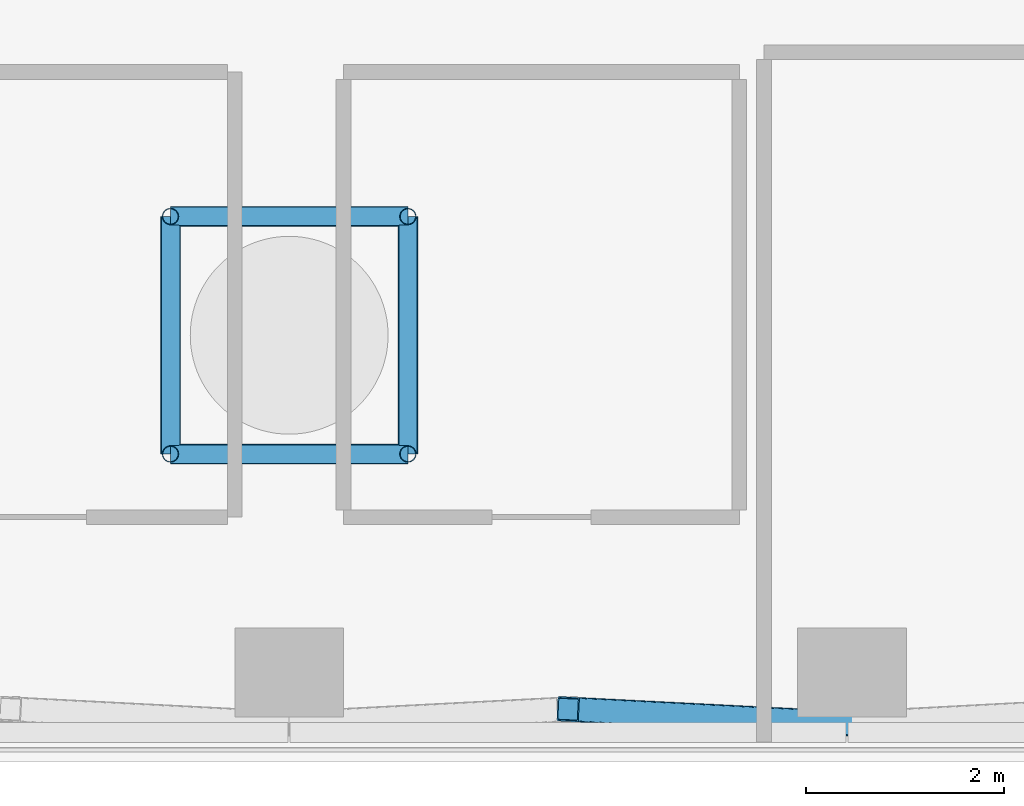
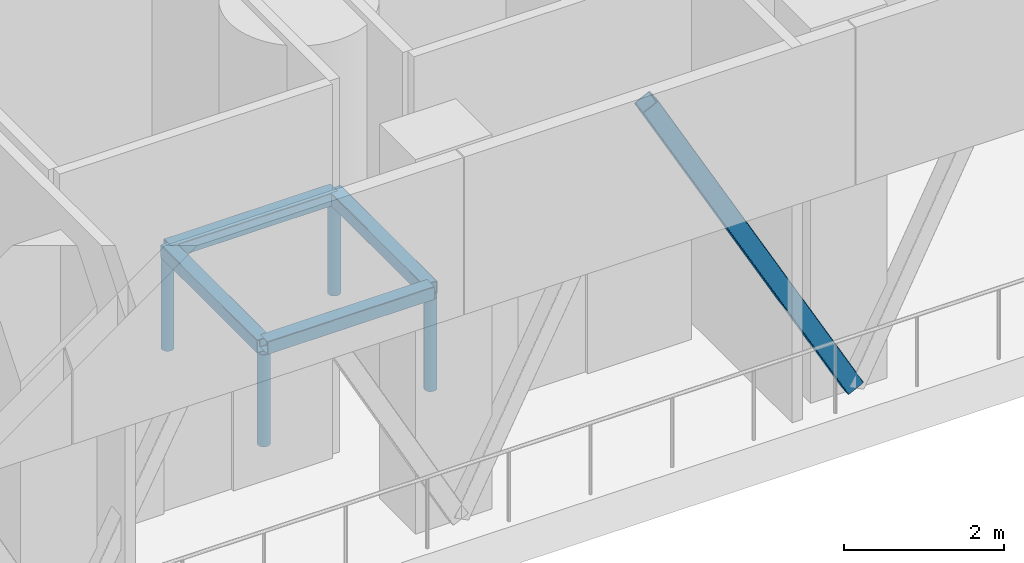
# One storey, part 2 of 15: 9 members.
"""IFC4 building model written with IfcOpenShell, lengths in metres."""

from ifc_helpers import new_model, si_unit, direction, frame, origin, origin_2d, place, context, subcontext, project, spatial, hollow_rectangle, hollow_circle, extrude, material, material_profile, profile_set, type_object, element, save


model = new_model("IFC4")

# Units and contexts
model_context = context("Model", 3, precision=1e-05, world=origin(), true_north=direction((0.0, 1.0)))
body_context = subcontext(model_context, "Body", "Model", "MODEL_VIEW")
ifc_project = project(units=[si_unit("LENGTHUNIT", "METRE"), si_unit("AREAUNIT", "SQUARE_METRE"), si_unit("VOLUMEUNIT", "CUBIC_METRE"), si_unit("PLANEANGLEUNIT", "RADIAN"), si_unit("MASSUNIT", "GRAM", prefix="KILO")], contexts=[model_context])

# Site, building, storey
site_placement = place(None, origin())
site = spatial("IfcSite", under=ifc_project, at=site_placement, CompositionType="ELEMENT")
building_placement = place(site_placement, origin())
building = spatial("IfcBuilding", under=site, at=building_placement, Name="Triada Interchange Tower", CompositionType="ELEMENT")
storey_placement = place(building_placement, frame((0.0, 0.0, 255.800048828125)))
storey = spatial("IfcBuildingStorey", under=building, at=storey_placement, Name="L60", CompositionType="ELEMENT", Elevation=255.800048828125)

# Members
ifc_material = material(Name="Steel S355", Category="steel")
ifc_material_profile_1 = material_profile(ifc_material, hollow_rectangle(XDim=0.25, YDim=0.25, WallThickness=0.012451171875, InnerFilletRadius=0.012451171875, OuterFilletRadius=0.018798828125, at=origin_2d()), Name="RHS 250x250x12.5")
ifc_profile_set_1 = profile_set([ifc_material_profile_1], Name="Steel S355")
member_type_1 = type_object("IfcMemberType", Name="Belt truss diagonal RHS 250x250x12.5", PredefinedType="BRACE", material=ifc_profile_set_1)
member_placement = place(storey_placement, frame((5.68994140625, -16.737060546875, 0.14990234375), z_axis=(-0.483178044267, 0.024571857341, 0.875177239972), x_axis=(-0.050789031701, -0.998709404311, 0.0)))
element("IfcMember", 1, at=member_placement, inside=storey, type_object=member_type_1, Name="Belt truss diagonal 030 L60", PredefinedType="BRACE", context=body_context, shape_type="SweptSolid", body=[
    extrude(hollow_rectangle(XDim=0.25, YDim=0.25, WallThickness=0.012451171875, InnerFilletRadius=0.012451171875, OuterFilletRadius=0.018798828125, at=origin_2d()), origin(), (0.0, 0.0, 1.0), 5.941650390625),
])
ifc_material_profile_2 = material_profile(ifc_material, hollow_rectangle(XDim=0.199951171875, YDim=0.199951171875, WallThickness=0.010009765625, InnerFilletRadius=0.010009765625, OuterFilletRadius=0.014892578125, at=origin_2d()), Name="RHS 200x200x10")
ifc_profile_set_2 = profile_set([ifc_material_profile_2], Name="Steel S355")
member_type_2 = type_object("IfcMemberType", Name="Turbine frame beam RHS 200x200x10", PredefinedType="USERDEFINED", material=ifc_profile_set_2)
for number, where, z_axis, x_axis, name in (
    (2, (-1.199951171875, -14.010986328125, 1.5), (1.0, 0.0, 0.0), (0.0, 1.0, 0.0), "Turbine 2 frame beam 1"),
    (3, (1.199951171875, -14.010986328125, 1.5), (0.0, 1.0, 0.0), (-1.0, 0.0, 0.0), "Turbine 2 frame beam 2"),
    (4, (1.199951171875, -11.611083984375, 1.5), (-1.0, 0.0, 0.0), (0.0, -1.0, 0.0), "Turbine 2 frame beam 3"),
    (5, (-1.199951171875, -11.611083984375, 1.5), (0.0, -1.0, 0.0), (1.0, 0.0, 0.0), "Turbine 2 frame beam 4"),
):
    element("IfcMember", number, at=place(storey_placement, frame(where, z_axis=z_axis, x_axis=x_axis)), inside=storey, type_object=member_type_2, Name=name, ObjectType="TURBINE FRAME", PredefinedType="USERDEFINED", context=body_context, shape_type="SweptSolid", body=[
        extrude(hollow_rectangle(XDim=0.199951171875, YDim=0.199951171875, WallThickness=0.010009765625, InnerFilletRadius=0.010009765625, OuterFilletRadius=0.014892578125, at=origin_2d()), origin(), (0.0, 0.0, 1.0), 2.39990234375),
    ])
ifc_material_profile_3 = material_profile(ifc_material, hollow_circle(Radius=0.084228515625, WallThickness=0.008056640625, at=origin_2d()), Name="CHS 168.3x8")
ifc_profile_set_3 = profile_set([ifc_material_profile_3], Name="Steel S355")
member_type_3 = type_object("IfcMemberType", Name="Turbine frame post CHS 168.3x8", PredefinedType="USERDEFINED", material=ifc_profile_set_3)
for number, where, z_axis, x_axis, name in (
    (6, (-1.199951171875, -14.010986328125, 0.0), (0.0, 0.0, 1.0), (1.0, 0.0, 0.0), "Turbine 2 frame post 1"),
    (7, (1.199951171875, -14.010986328125, 0.0), (0.0, 0.0, 1.0), (1.0, 0.0, 0.0), "Turbine 2 frame post 2"),
    (8, (1.199951171875, -11.611083984375, 0.0), (0.0, 0.0, 1.0), (1.0, 0.0, 0.0), "Turbine 2 frame post 3"),
    (9, (-1.199951171875, -11.611083984375, 0.0), (0.0, 0.0, 1.0), (1.0, 0.0, 0.0), "Turbine 2 frame post 4"),
):
    element("IfcMember", number, at=place(storey_placement, frame(where, z_axis=z_axis, x_axis=x_axis)), inside=storey, type_object=member_type_3, Name=name, ObjectType="TURBINE FRAME", PredefinedType="USERDEFINED", context=body_context, shape_type="SweptSolid", body=[
        extrude(hollow_circle(Radius=0.084228515625, WallThickness=0.008056640625, at=origin_2d()), origin(), (0.0, 0.0, 1.0), 1.39990234375),
    ])

save(model, "model.ifc")
